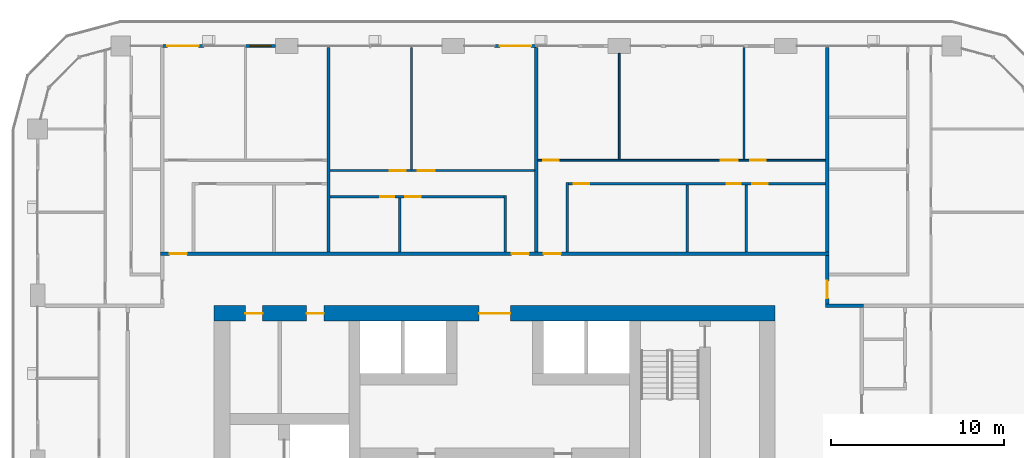
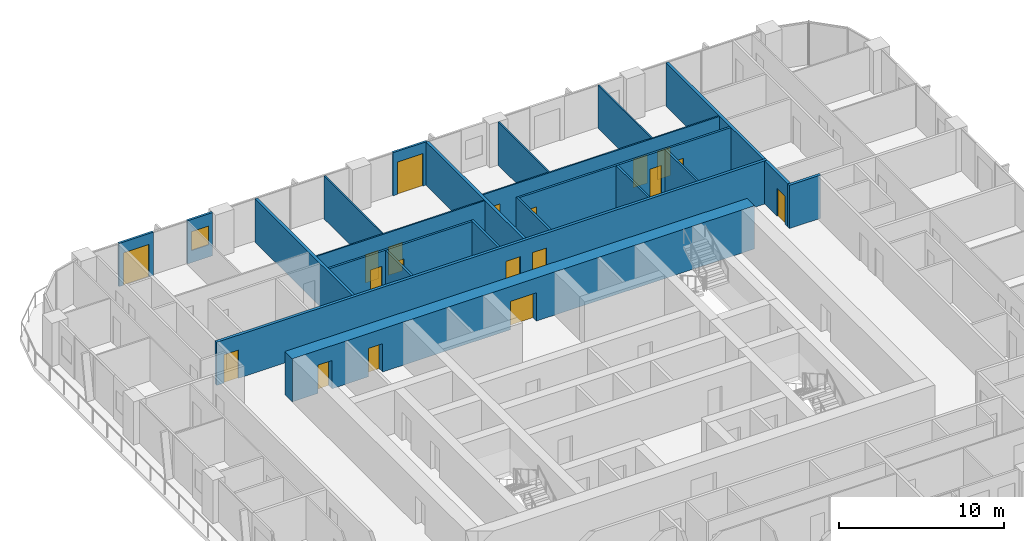
# One storey, part 14 of 21: 22 walls, 19 doors, 1 window, 20 openings.
"""IFC4 building model written with IfcOpenShell, lengths in metres."""

from ifc_helpers import new_model, si_unit, direction, frame, frame_2d, origin, place, context, subcontext, project, spatial, rectangle, extrude, material, layer, layer_set, type_object, element, fill, save


model = new_model("IFC4")

# Units and contexts
model_context = context("Model", 3, precision=1e-05, world=origin(), true_north=direction((0.0, 1.0)))
body_context = subcontext(model_context, "Body", "Model", "MODEL_VIEW")
ifc_project = project(units=[si_unit("LENGTHUNIT", "METRE"), si_unit("AREAUNIT", "SQUARE_METRE"), si_unit("VOLUMEUNIT", "CUBIC_METRE"), si_unit("PLANEANGLEUNIT", "RADIAN"), si_unit("MASSUNIT", "GRAM", prefix="KILO")], contexts=[model_context])

# Site, building, storey
site_placement = place(None, origin())
site = spatial("IfcSite", under=ifc_project, at=site_placement, CompositionType="ELEMENT")
building_placement = place(site_placement, origin())
building = spatial("IfcBuilding", under=site, at=building_placement, Name="Madar Terraces", CompositionType="ELEMENT")
storey_placement = place(building_placement, frame((0.0, 0.0, 106.699951171875)))
storey = spatial("IfcBuildingStorey", under=building, at=storey_placement, Name="L27", CompositionType="ELEMENT", Elevation=106.699951171875)

# Wall, openings, doors
ifc_material_1 = material(Name="Concrete C80/95", Category="concrete")
ifc_layer_1 = layer(ifc_material_1, 0.89990234375)
ifc_layer_set_1 = layer_set([ifc_layer_1], Name="Concrete C80/95 (CRW2 RC wall 900)")
wall_type_1 = type_object("IfcWallType", Name="CRW2 RC wall 900", PredefinedType="SHEAR", material=ifc_layer_set_1)
wall_1_placement = place(storey_placement, frame((15.0, 37.35009765625, 0.0), z_axis=(0.0, 0.0, 1.0), x_axis=(1.0, 0.0, 0.0)))
wall_1 = element("IfcWall", 1, at=wall_1_placement, inside=storey, type_object=wall_type_1, Name="CORE OUTER WALL", PredefinedType="SHEAR", context=body_context, shape_type="SweptSolid", body=[
    extrude(rectangle(XDim=32.39990234375, YDim=0.89990234375, at=frame_2d((16.199951171875, 0.0))), origin(), (0.0, 0.0, 1.0), 3.199951171875),
])
opening_1_placement = place(wall_1_placement, frame((15.300048828125, 0.0, 0.0)))
opening_1 = element("IfcOpeningElement", 2, at=opening_1_placement, cuts=wall_1, Name="Opening KD1", PredefinedType="OPENING", context=body_context, shape_type="SweptSolid", body=[
    extrude(rectangle(XDim=1.800048828125, YDim=2.10009765625, at=frame_2d((0.89990234375, 1.050048828125))), frame((0.0, 0.4599609375, 0.0), z_axis=(0.0, -1.0, 0.0), x_axis=(1.0, 0.0, 0.0)), (0.0, 0.0, 1.0), 0.919921875),
])
opening_2_placement = place(wall_1_placement, frame((1.793701171875, 0.0, 0.0)))
opening_2 = element("IfcOpeningElement", 3, at=opening_2_placement, cuts=wall_1, Name="Opening KD2", PredefinedType="OPENING", context=body_context, shape_type="SweptSolid", body=[
    extrude(rectangle(XDim=1.0, YDim=2.10009765625, at=frame_2d((0.5, 1.050048828125))), frame((0.0, 0.4599609375, 0.0), z_axis=(0.0, -1.0, 0.0), x_axis=(1.0, 0.0, 0.0)), (0.0, 0.0, 1.0), 0.919921875),
])
opening_3_placement = place(wall_1_placement, frame((5.331298828125, 0.0, 0.0)))
opening_3 = element("IfcOpeningElement", 4, at=opening_3_placement, cuts=wall_1, Name="Opening KD2", PredefinedType="OPENING", context=body_context, shape_type="SweptSolid", body=[
    extrude(rectangle(XDim=1.0, YDim=2.10009765625, at=frame_2d((0.5, 1.050048828125))), frame((0.0, 0.4599609375, 0.0), z_axis=(0.0, -1.0, 0.0), x_axis=(1.0, 0.0, 0.0)), (0.0, 0.0, 1.0), 0.919921875),
])
ifc_material_2 = material(Name="Steel door leaf", Category="steel")
door_type_1 = type_object("IfcDoorType", Name="Lobby door pair 1800 x 2100", OperationType="DOUBLE_DOOR_SINGLE_SWING", PredefinedType="DOOR", material=ifc_material_2)
door_1_placement = place(opening_1_placement, origin())
door_1 = element("IfcDoor", 5, at=door_1_placement, inside=storey, type_object=door_type_1, Name="LIFT LOBBY DOOR", OperationType="DOUBLE_DOOR_SINGLE_SWING", OverallHeight=2.10009765625, OverallWidth=1.800048828125, PredefinedType="DOOR", context=body_context, shape_type="SweptSolid", body=[
    extrude(rectangle(XDim=1.800048828125, YDim=2.10009765625, at=frame_2d((0.89990234375, 1.050048828125))), frame((0.0, 0.02490234375, 0.0), z_axis=(0.0, -1.0, 0.0), x_axis=(1.0, 0.0, 0.0)), (0.0, 0.0, 1.0), 0.050048828125),
])
fill(opening_1, door_1)
ifc_material_3 = material(Name="Steel door leaf", Category="steel")
door_type_2 = type_object("IfcDoorType", Name="Service room door 1000 x 2100", OperationType="NOTDEFINED", PredefinedType="DOOR", material=ifc_material_3)
door_2_placement = place(opening_2_placement, origin())
door_2 = element("IfcDoor", 6, at=door_2_placement, inside=storey, type_object=door_type_2, Name="SERVICE ROOM DOOR", OperationType="SINGLE_SWING_RIGHT", OverallHeight=2.10009765625, OverallWidth=1.0, PredefinedType="DOOR", context=body_context, shape_type="SweptSolid", body=[
    extrude(rectangle(XDim=1.0, YDim=2.10009765625, at=frame_2d((0.5, 1.050048828125))), frame((0.0, 0.02490234375, 0.0), z_axis=(0.0, -1.0, 0.0), x_axis=(1.0, 0.0, 0.0)), (0.0, 0.0, 1.0), 0.050048828125),
])
fill(opening_2, door_2)
door_3_placement = place(opening_3_placement, origin())
door_3 = element("IfcDoor", 7, at=door_3_placement, inside=storey, type_object=door_type_2, Name="SERVICE ROOM DOOR", OperationType="SINGLE_SWING_LEFT", OverallHeight=2.10009765625, OverallWidth=1.0, PredefinedType="DOOR", context=body_context, shape_type="SweptSolid", body=[
    extrude(rectangle(XDim=1.0, YDim=2.10009765625, at=frame_2d((0.5, 1.050048828125))), frame((0.0, 0.02490234375, 0.0), z_axis=(0.0, -1.0, 0.0), x_axis=(1.0, 0.0, 0.0)), (0.0, 0.0, 1.0), 0.050048828125),
])
fill(opening_3, door_3)

# Wall, opening, door
ifc_material_4 = material(Name="Aluminium composite panel, black, over insulated backing", Category="aluminium")
ifc_layer_2 = layer(ifc_material_4, 0.14990234375)
ifc_layer_set_2 = layer_set([ifc_layer_2], Name="Facade bay panel 150")
wall_type_2 = type_object("IfcWallType", Name="Facade bay panel 150", PredefinedType="SOLIDWALL", material=ifc_layer_set_2)
wall_2_placement = place(storey_placement, frame((33.60009765625, 52.800048828125, 0.0), z_axis=(0.0, 0.0, 1.0), x_axis=(-1.0, 0.0, 0.0)))
wall_2 = element("IfcWall", 8, at=wall_2_placement, inside=storey, type_object=wall_type_2, Name="Facade bay panel", PredefinedType="SOLIDWALL", context=body_context, shape_type="SweptSolid", body=[
    extrude(rectangle(XDim=2.400146484375, YDim=0.14990234375, at=frame_2d((1.2001953125, 0.0))), origin(), (0.0, 0.0, 1.0), 3.199951171875),
])
opening_4_placement = place(wall_2_placement, frame((0.300048828125, 0.0, 0.0)))
opening_4 = element("IfcOpeningElement", 9, at=opening_4_placement, cuts=wall_2, Name="Opening ED1", PredefinedType="OPENING", context=body_context, shape_type="SweptSolid", body=[
    extrude(rectangle(XDim=1.800048828125, YDim=2.39990234375, at=frame_2d((0.89990234375, 1.199951171875))), frame((0.0, 0.0849609375, 0.0), z_axis=(0.0, -1.0, 0.0), x_axis=(1.0, 0.0, 0.0)), (0.0, 0.0, 1.0), 0.169921875),
])
ifc_material_5 = material(Name="Glass, clear, with black aluminium frame", Category="aluminium")
door_type_3 = type_object("IfcDoorType", Name="Balcony and terrace sliding door 1800 x 2400", OperationType="SLIDING_TO_LEFT", PredefinedType="DOOR", material=ifc_material_5)
door_4_placement = place(opening_4_placement, origin())
door_4 = element("IfcDoor", 10, at=door_4_placement, inside=storey, type_object=door_type_3, Name="Balcony door", OperationType="SLIDING_TO_LEFT", OverallHeight=2.39990234375, OverallWidth=1.800048828125, PredefinedType="DOOR", context=body_context, shape_type="SweptSolid", body=[
    extrude(rectangle(XDim=1.800048828125, YDim=2.39990234375, at=frame_2d((0.89990234375, 1.199951171875))), frame((0.0, 0.02490234375, 0.0), z_axis=(0.0, -1.0, 0.0), x_axis=(1.0, 0.0, 0.0)), (0.0, 0.0, 1.0), 0.050048828125),
])
fill(opening_4, door_4)

# Wall, opening, window
wall_3_placement = place(storey_placement, frame((18.550048828125, 52.800048828125, 0.0), z_axis=(0.0, 0.0, 1.0), x_axis=(-1.0, 0.0, 0.0)))
wall_3 = element("IfcWall", 11, at=wall_3_placement, inside=storey, type_object=wall_type_2, Name="Facade bay panel", PredefinedType="SOLIDWALL", context=body_context, shape_type="SweptSolid", body=[
    extrude(rectangle(XDim=1.75, YDim=0.14990234375, at=frame_2d((0.875, 0.0))), origin(), (0.0, 0.0, 1.0), 3.199951171875),
])
opening_5_placement = place(wall_3_placement, frame((0.27490234375, 0.0, 0.89990234375)))
opening_5 = element("IfcOpeningElement", 12, at=opening_5_placement, cuts=wall_3, Name="Opening W1", PredefinedType="OPENING", context=body_context, shape_type="SweptSolid", body=[
    extrude(rectangle(XDim=1.199951171875, YDim=1.39990234375, at=frame_2d((0.60009765625, 0.699951171875))), frame((0.0, 0.0849609375, 0.0), z_axis=(0.0, -1.0, 0.0), x_axis=(1.0, 0.0, 0.0)), (0.0, 0.0, 1.0), 0.169921875),
])
ifc_material_6 = material(Name="Glass, clear, with black aluminium frame", Category="aluminium")
window_type = type_object("IfcWindowType", Name="Vent window 1200 x 1400", PartitioningType="SINGLE_PANEL", PredefinedType="WINDOW", material=ifc_material_6)
window_placement = place(opening_5_placement, origin())
window = element("IfcWindow", 13, at=window_placement, inside=storey, type_object=window_type, Name="Operable vent window", OverallHeight=1.39990234375, OverallWidth=1.199951171875, PartitioningType="SINGLE_PANEL", PredefinedType="WINDOW", context=body_context, shape_type="SweptSolid", body=[
    extrude(rectangle(XDim=1.199951171875, YDim=1.39990234375, at=frame_2d((0.60009765625, 0.699951171875))), frame((0.0, 0.030029296875, 0.0), z_axis=(0.0, -1.0, 0.0), x_axis=(1.0, 0.0, 0.0)), (0.0, 0.0, 1.0), 0.06005859375),
])
fill(opening_5, window)

# Wall, opening, door
wall_4_placement = place(storey_placement, frame((14.39990234375, 52.800048828125, 0.0), z_axis=(0.0, 0.0, 1.0), x_axis=(-1.0, 0.0, 0.0)))
wall_4 = element("IfcWall", 14, at=wall_4_placement, inside=storey, type_object=wall_type_2, Name="Facade bay panel", PredefinedType="SOLIDWALL", context=body_context, shape_type="SweptSolid", body=[
    extrude(rectangle(XDim=2.39990234375, YDim=0.14990234375, at=frame_2d((1.199951171875, 0.0))), origin(), (0.0, 0.0, 1.0), 3.199951171875),
])
opening_6_placement = place(wall_4_placement, frame((0.300048828125, 0.0, 0.0)))
opening_6 = element("IfcOpeningElement", 15, at=opening_6_placement, cuts=wall_4, Name="Opening ED1", PredefinedType="OPENING", context=body_context, shape_type="SweptSolid", body=[
    extrude(rectangle(XDim=1.800048828125, YDim=2.39990234375, at=frame_2d((0.89990234375, 1.199951171875))), frame((0.0, 0.0849609375, 0.0), z_axis=(0.0, -1.0, 0.0), x_axis=(1.0, 0.0, 0.0)), (0.0, 0.0, 1.0), 0.169921875),
])
door_5_placement = place(opening_6_placement, origin())
door_5 = element("IfcDoor", 16, at=door_5_placement, inside=storey, type_object=door_type_3, Name="Balcony door", OperationType="SLIDING_TO_RIGHT", OverallHeight=2.39990234375, OverallWidth=1.800048828125, PredefinedType="DOOR", context=body_context, shape_type="SweptSolid", body=[
    extrude(rectangle(XDim=1.800048828125, YDim=2.39990234375, at=frame_2d((0.89990234375, 1.199951171875))), frame((0.0, 0.02490234375, 0.0), z_axis=(0.0, -1.0, 0.0), x_axis=(1.0, 0.0, 0.0)), (0.0, 0.0, 1.0), 0.050048828125),
])
fill(opening_6, door_5)

# Walls
ifc_material_7 = material(Name="Gypsum board on steel studs", Category="steel")
ifc_layer_3 = layer(ifc_material_7, 0.10009765625)
ifc_layer_set_3 = layer_set([ifc_layer_3], Name="Flat partition 100")
wall_type_3 = type_object("IfcWallType", Name="Flat partition 100", PredefinedType="PARTITIONING", material=ifc_layer_set_3)
wall_5_placement = place(storey_placement, frame((38.39990234375, 46.25, 0.0), z_axis=(0.0, 0.0, 1.0), x_axis=(0.0, 1.0, 0.0)))
element("IfcWall", 17, at=wall_5_placement, inside=storey, type_object=wall_type_3, Name="Flat partition 100", PredefinedType="PARTITIONING", context=body_context, shape_type="SweptSolid", body=[
    extrude(rectangle(XDim=6.125, YDim=0.10009765625, at=frame_2d((3.0625, 0.0))), origin(), (0.0, 0.0, 1.0), 3.199951171875),
])
wall_6_placement = place(storey_placement, frame((45.60009765625, 46.25, 0.0), z_axis=(0.0, 0.0, 1.0), x_axis=(0.0, 1.0, 0.0)))
element("IfcWall", 18, at=wall_6_placement, inside=storey, type_object=wall_type_3, Name="Flat partition 100", PredefinedType="PARTITIONING", context=body_context, shape_type="SweptSolid", body=[
    extrude(rectangle(XDim=6.449951171875, YDim=0.10009765625, at=frame_2d((3.22509765625, 0.0))), origin(), (0.0, 0.0, 1.0), 3.199951171875),
])

# Wall, openings, doors
wall_7_placement = place(storey_placement, frame((33.699951171875, 46.199951171875, 0.0), z_axis=(0.0, 0.0, 1.0), x_axis=(1.0, 0.0, 0.0)))
wall_7 = element("IfcWall", 19, at=wall_7_placement, inside=storey, type_object=wall_type_3, Name="Flat partition 100", PredefinedType="PARTITIONING", context=body_context, shape_type="SweptSolid", body=[
    extrude(rectangle(XDim=16.60009765625, YDim=0.10009765625, at=frame_2d((8.300048828125, 0.0))), origin(), (0.0, 0.0, 1.0), 3.199951171875),
])
opening_7_placement = place(wall_7_placement, frame((0.300048828125, 0.0, 0.0)))
opening_7 = element("IfcOpeningElement", 20, at=opening_7_placement, cuts=wall_7, Name="Opening D2", PredefinedType="OPENING", context=body_context, shape_type="SweptSolid", body=[
    extrude(rectangle(XDim=0.89990234375, YDim=2.10009765625, at=frame_2d((0.449951171875, 1.050048828125))), frame((0.0, 0.06005859375, 0.0), z_axis=(0.0, -1.0, 0.0), x_axis=(1.0, 0.0, 0.0)), (0.0, 0.0, 1.0), 0.1201171875),
])
opening_8_placement = place(wall_7_placement, frame((10.550048828125, 0.0, 0.0)))
opening_8 = element("IfcOpeningElement", 21, at=opening_8_placement, cuts=wall_7, Name="Opening D3", PredefinedType="OPENING", context=body_context, shape_type="SweptSolid", body=[
    extrude(rectangle(XDim=1.0, YDim=2.10009765625, at=frame_2d((0.5, 1.050048828125))), frame((0.0, 0.06005859375, 0.0), z_axis=(0.0, -1.0, 0.0), x_axis=(1.0, 0.0, 0.0)), (0.0, 0.0, 1.0), 0.1201171875),
])
opening_9_placement = place(wall_7_placement, frame((12.25, 0.0, 0.0)))
opening_9 = element("IfcOpeningElement", 22, at=opening_9_placement, cuts=wall_7, Name="Opening D2", PredefinedType="OPENING", context=body_context, shape_type="SweptSolid", body=[
    extrude(rectangle(XDim=0.89990234375, YDim=2.10009765625, at=frame_2d((0.449951171875, 1.050048828125))), frame((0.0, 0.06005859375, 0.0), z_axis=(0.0, -1.0, 0.0), x_axis=(1.0, 0.0, 0.0)), (0.0, 0.0, 1.0), 0.1201171875),
])
ifc_material_8 = material(Name="Timber door leaf", Category="wood")
door_type_4 = type_object("IfcDoorType", Name="Flat living room door 1000", OperationType="NOTDEFINED", PredefinedType="DOOR", material=ifc_material_8)
door_6_placement = place(opening_8_placement, origin())
door_6 = element("IfcDoor", 23, at=door_6_placement, inside=storey, type_object=door_type_4, Name="Flat living room door 1000", OperationType="SINGLE_SWING_RIGHT", OverallHeight=2.10009765625, OverallWidth=1.0, PredefinedType="DOOR", context=body_context, shape_type="SweptSolid", body=[
    extrude(rectangle(XDim=1.0, YDim=2.10009765625, at=frame_2d((0.5, 1.050048828125))), frame((0.0, 0.02490234375, 0.0), z_axis=(0.0, -1.0, 0.0), x_axis=(1.0, 0.0, 0.0)), (0.0, 0.0, 1.0), 0.050048828125),
])
fill(opening_8, door_6)
ifc_material_9 = material(Name="Timber door leaf", Category="wood")
door_type_5 = type_object("IfcDoorType", Name="Flat room door 900", OperationType="NOTDEFINED", PredefinedType="DOOR", material=ifc_material_9)
door_7_placement = place(opening_7_placement, origin())
door_7 = element("IfcDoor", 24, at=door_7_placement, inside=storey, type_object=door_type_5, Name="Flat room door 900", OperationType="SINGLE_SWING_LEFT", OverallHeight=2.10009765625, OverallWidth=0.89990234375, PredefinedType="DOOR", context=body_context, shape_type="SweptSolid", body=[
    extrude(rectangle(XDim=0.89990234375, YDim=2.10009765625, at=frame_2d((0.449951171875, 1.050048828125))), frame((0.0, 0.02490234375, 0.0), z_axis=(0.0, -1.0, 0.0), x_axis=(1.0, 0.0, 0.0)), (0.0, 0.0, 1.0), 0.050048828125),
])
fill(opening_7, door_7)
door_8_placement = place(opening_9_placement, origin())
door_8 = element("IfcDoor", 25, at=door_8_placement, inside=storey, type_object=door_type_5, Name="Flat room door 900", OperationType="SINGLE_SWING_LEFT", OverallHeight=2.10009765625, OverallWidth=0.89990234375, PredefinedType="DOOR", context=body_context, shape_type="SweptSolid", body=[
    extrude(rectangle(XDim=0.89990234375, YDim=2.10009765625, at=frame_2d((0.449951171875, 1.050048828125))), frame((0.0, 0.02490234375, 0.0), z_axis=(0.0, -1.0, 0.0), x_axis=(1.0, 0.0, 0.0)), (0.0, 0.0, 1.0), 0.050048828125),
])
fill(opening_9, door_8)

# Wall
wall_8_placement = place(storey_placement, frame((26.39990234375, 45.64990234375, 0.0), z_axis=(0.0, 0.0, 1.0), x_axis=(0.0, 1.0, 0.0)))
element("IfcWall", 26, at=wall_8_placement, inside=storey, type_object=wall_type_3, Name="Flat partition 100", PredefinedType="PARTITIONING", context=body_context, shape_type="SweptSolid", body=[
    extrude(rectangle(XDim=7.050048828125, YDim=0.10009765625, at=frame_2d((3.52490234375, 0.0))), origin(), (0.0, 0.0, 1.0), 3.199951171875),
])

# Wall, openings, doors
wall_9_placement = place(storey_placement, frame((21.699951171875, 45.60009765625, 0.0), z_axis=(0.0, 0.0, 1.0), x_axis=(1.0, 0.0, 0.0)))
wall_9 = element("IfcWall", 27, at=wall_9_placement, inside=storey, type_object=wall_type_3, Name="Flat partition 100", PredefinedType="PARTITIONING", context=body_context, shape_type="SweptSolid", body=[
    extrude(rectangle(XDim=11.800048828125, YDim=0.10009765625, at=frame_2d((5.89990234375, 0.0))), origin(), (0.0, 0.0, 1.0), 3.199951171875),
])
opening_10_placement = place(wall_9_placement, frame((5.050048828125, 0.0, 0.0)))
opening_10 = element("IfcOpeningElement", 28, at=opening_10_placement, cuts=wall_9, Name="Opening D3", PredefinedType="OPENING", context=body_context, shape_type="SweptSolid", body=[
    extrude(rectangle(XDim=1.0, YDim=2.10009765625, at=frame_2d((0.5, 1.050048828125))), frame((0.0, 0.06005859375, 0.0), z_axis=(0.0, -1.0, 0.0), x_axis=(1.0, 0.0, 0.0)), (0.0, 0.0, 1.0), 0.1201171875),
])
opening_11_placement = place(wall_9_placement, frame((3.449951171875, 0.0, 0.0)))
opening_11 = element("IfcOpeningElement", 29, at=opening_11_placement, cuts=wall_9, Name="Opening D2", PredefinedType="OPENING", context=body_context, shape_type="SweptSolid", body=[
    extrude(rectangle(XDim=0.89990234375, YDim=2.10009765625, at=frame_2d((0.449951171875, 1.050048828125))), frame((0.0, 0.06005859375, 0.0), z_axis=(0.0, -1.0, 0.0), x_axis=(1.0, 0.0, 0.0)), (0.0, 0.0, 1.0), 0.1201171875),
])
door_9_placement = place(opening_10_placement, origin())
door_9 = element("IfcDoor", 30, at=door_9_placement, inside=storey, type_object=door_type_4, Name="Flat living room door 1000", OperationType="SINGLE_SWING_LEFT", OverallHeight=2.10009765625, OverallWidth=1.0, PredefinedType="DOOR", context=body_context, shape_type="SweptSolid", body=[
    extrude(rectangle(XDim=1.0, YDim=2.10009765625, at=frame_2d((0.5, 1.050048828125))), frame((0.0, 0.02490234375, 0.0), z_axis=(0.0, -1.0, 0.0), x_axis=(1.0, 0.0, 0.0)), (0.0, 0.0, 1.0), 0.050048828125),
])
fill(opening_10, door_9)
door_10_placement = place(opening_11_placement, origin())
door_10 = element("IfcDoor", 31, at=door_10_placement, inside=storey, type_object=door_type_5, Name="Flat room door 900", OperationType="SINGLE_SWING_RIGHT", OverallHeight=2.10009765625, OverallWidth=0.89990234375, PredefinedType="DOOR", context=body_context, shape_type="SweptSolid", body=[
    extrude(rectangle(XDim=0.89990234375, YDim=2.10009765625, at=frame_2d((0.449951171875, 1.050048828125))), frame((0.0, 0.02490234375, 0.0), z_axis=(0.0, -1.0, 0.0), x_axis=(1.0, 0.0, 0.0)), (0.0, 0.0, 1.0), 0.050048828125),
])
fill(opening_11, door_10)

# Wall
ifc_material_10 = material(Name="Lightweight blockwork", Category="masonry")
ifc_layer_4 = layer(ifc_material_10, 0.199951171875)
ifc_layer_set_4 = layer_set([ifc_layer_4], Name="Flat party and entrance wall 200")
wall_type_4 = type_object("IfcWallType", Name="Flat party and entrance wall 200", PredefinedType="PARTITIONING", material=ifc_layer_set_4)
wall_10_placement = place(storey_placement, frame((52.5, 37.800048828125, 0.0), z_axis=(0.0, 0.0, 1.0), x_axis=(-1.0, 0.0, 0.0)))
element("IfcWall", 32, at=wall_10_placement, inside=storey, type_object=wall_type_4, Name="Flat party and entrance wall 200", PredefinedType="PARTITIONING", context=body_context, shape_type="SweptSolid", body=[
    extrude(rectangle(XDim=2.199951171875, YDim=0.199951171875, at=frame_2d((1.10009765625, 0.0))), origin(), (0.0, 0.0, 1.0), 3.199951171875),
])

# Wall, opening, door
wall_11_placement = place(storey_placement, frame((50.39990234375, 40.699951171875, 0.0), z_axis=(0.0, 0.0, 1.0), x_axis=(0.0, -1.0, 0.0)))
wall_11 = element("IfcWall", 33, at=wall_11_placement, inside=storey, type_object=wall_type_4, Name="Flat party and entrance wall 200", PredefinedType="PARTITIONING", context=body_context, shape_type="SweptSolid", body=[
    extrude(rectangle(XDim=2.800048828125, YDim=0.199951171875, at=frame_2d((1.39990234375, 0.0))), origin(), (0.0, 0.0, 1.0), 3.199951171875),
])
opening_12_placement = place(wall_11_placement, frame((1.47509765625, 0.0, 0.0)))
opening_12 = element("IfcOpeningElement", 34, at=opening_12_placement, cuts=wall_11, Name="Opening D1", PredefinedType="OPENING", context=body_context, shape_type="SweptSolid", body=[
    extrude(rectangle(XDim=1.0, YDim=2.10009765625, at=frame_2d((0.5, 1.050048828125))), frame((0.0, 0.10986328125, 0.0), z_axis=(0.0, -1.0, 0.0), x_axis=(1.0, 0.0, 0.0)), (0.0, 0.0, 1.0), 0.219970703125),
])
ifc_material_11 = material(Name="Timber fire door leaf", Category="wood")
door_type_6 = type_object("IfcDoorType", Name="Flat entrance door 1000 FD30S", OperationType="NOTDEFINED", PredefinedType="DOOR", material=ifc_material_11)
door_11_placement = place(opening_12_placement, origin())
door_11 = element("IfcDoor", 35, at=door_11_placement, inside=storey, type_object=door_type_6, Name="Flat entrance door 1000 FD30S", OperationType="SINGLE_SWING_RIGHT", OverallHeight=2.10009765625, OverallWidth=1.0, PredefinedType="DOOR", context=body_context, shape_type="SweptSolid", body=[
    extrude(rectangle(XDim=1.0, YDim=2.10009765625, at=frame_2d((0.5, 1.050048828125))), frame((0.0, 0.02490234375, 0.0), z_axis=(0.0, -1.0, 0.0), x_axis=(1.0, 0.0, 0.0)), (0.0, 0.0, 1.0), 0.050048828125),
])
fill(opening_12, door_11)

# Wall, openings, doors
wall_12_placement = place(storey_placement, frame((11.89990234375, 40.800048828125, 0.0), z_axis=(0.0, 0.0, 1.0), x_axis=(1.0, 0.0, 0.0)))
wall_12 = element("IfcWall", 36, at=wall_12_placement, inside=storey, type_object=wall_type_4, Name="Flat party and entrance wall 200", PredefinedType="PARTITIONING", context=body_context, shape_type="SweptSolid", body=[
    extrude(rectangle(XDim=38.60009765625, YDim=0.199951171875, at=frame_2d((19.300048828125, 0.0))), origin(), (0.0, 0.0, 1.0), 3.199951171875),
])
opening_13_placement = place(wall_12_placement, frame((22.125, 0.0, 0.0)))
opening_13 = element("IfcOpeningElement", 37, at=opening_13_placement, cuts=wall_12, Name="Opening D1", PredefinedType="OPENING", context=body_context, shape_type="SweptSolid", body=[
    extrude(rectangle(XDim=1.0, YDim=2.10009765625, at=frame_2d((0.5, 1.050048828125))), frame((0.0, 0.10986328125, 0.0), z_axis=(0.0, -1.0, 0.0), x_axis=(1.0, 0.0, 0.0)), (0.0, 0.0, 1.0), 0.219970703125),
])
opening_14_placement = place(wall_12_placement, frame((20.27490234375, 0.0, 0.0)))
opening_14 = element("IfcOpeningElement", 38, at=opening_14_placement, cuts=wall_12, Name="Opening D1", PredefinedType="OPENING", context=body_context, shape_type="SweptSolid", body=[
    extrude(rectangle(XDim=1.0, YDim=2.10009765625, at=frame_2d((0.5, 1.050048828125))), frame((0.0, 0.10986328125, 0.0), z_axis=(0.0, -1.0, 0.0), x_axis=(1.0, 0.0, 0.0)), (0.0, 0.0, 1.0), 0.219970703125),
])
opening_15_placement = place(wall_12_placement, frame((0.52490234375, 0.0, 0.0)))
opening_15 = element("IfcOpeningElement", 39, at=opening_15_placement, cuts=wall_12, Name="Opening D1", PredefinedType="OPENING", context=body_context, shape_type="SweptSolid", body=[
    extrude(rectangle(XDim=1.0, YDim=2.10009765625, at=frame_2d((0.5, 1.050048828125))), frame((0.0, 0.10986328125, 0.0), z_axis=(0.0, -1.0, 0.0), x_axis=(1.0, 0.0, 0.0)), (0.0, 0.0, 1.0), 0.219970703125),
])
door_12_placement = place(opening_13_placement, origin())
door_12 = element("IfcDoor", 40, at=door_12_placement, inside=storey, type_object=door_type_6, Name="Flat entrance door 1000 FD30S", OperationType="SINGLE_SWING_LEFT", OverallHeight=2.10009765625, OverallWidth=1.0, PredefinedType="DOOR", context=body_context, shape_type="SweptSolid", body=[
    extrude(rectangle(XDim=1.0, YDim=2.10009765625, at=frame_2d((0.5, 1.050048828125))), frame((0.0, 0.02490234375, 0.0), z_axis=(0.0, -1.0, 0.0), x_axis=(1.0, 0.0, 0.0)), (0.0, 0.0, 1.0), 0.050048828125),
])
fill(opening_13, door_12)
door_13_placement = place(opening_14_placement, origin())
door_13 = element("IfcDoor", 41, at=door_13_placement, inside=storey, type_object=door_type_6, Name="Flat entrance door 1000 FD30S", OperationType="SINGLE_SWING_RIGHT", OverallHeight=2.10009765625, OverallWidth=1.0, PredefinedType="DOOR", context=body_context, shape_type="SweptSolid", body=[
    extrude(rectangle(XDim=1.0, YDim=2.10009765625, at=frame_2d((0.5, 1.050048828125))), frame((0.0, 0.02490234375, 0.0), z_axis=(0.0, -1.0, 0.0), x_axis=(1.0, 0.0, 0.0)), (0.0, 0.0, 1.0), 0.050048828125),
])
fill(opening_14, door_13)
door_14_placement = place(opening_15_placement, origin())
door_14 = element("IfcDoor", 42, at=door_14_placement, inside=storey, type_object=door_type_6, Name="Flat entrance door 1000 FD30S", OperationType="SINGLE_SWING_LEFT", OverallHeight=2.10009765625, OverallWidth=1.0, PredefinedType="DOOR", context=body_context, shape_type="SweptSolid", body=[
    extrude(rectangle(XDim=1.0, YDim=2.10009765625, at=frame_2d((0.5, 1.050048828125))), frame((0.0, 0.02490234375, 0.0), z_axis=(0.0, -1.0, 0.0), x_axis=(1.0, 0.0, 0.0)), (0.0, 0.0, 1.0), 0.050048828125),
])
fill(opening_15, door_14)

# Walls
for number, where, z_axis, x_axis, name in (
    (43, (50.39990234375, 40.89990234375, 0.0), (0.0, 0.0, 1.0), (0.0, 1.0, 0.0), "Flat party and entrance wall 200"),
    (44, (33.60009765625, 52.699951171875, 0.0), (0.0, 0.0, 1.0), (0.0, -1.0, 0.0), "Flat party and entrance wall 200"),
    (45, (21.60009765625, 52.699951171875, 0.0), (0.0, 0.0, 1.0), (0.0, -1.0, 0.0), "Flat party and entrance wall 200"),
):
    element("IfcWall", number, at=place(storey_placement, frame(where, z_axis=z_axis, x_axis=x_axis)), inside=storey, type_object=wall_type_4, Name=name, PredefinedType="PARTITIONING", context=body_context, shape_type="SweptSolid", body=[
        extrude(rectangle(XDim=11.800048828125, YDim=0.199951171875, at=frame_2d((5.89990234375, 0.0))), origin(), (0.0, 0.0, 1.0), 3.199951171875),
    ])
ifc_material_12 = material(Name="Lightweight blockwork", Category="masonry")
ifc_layer_5 = layer(ifc_material_12, 0.14990234375)
ifc_layer_set_5 = layer_set([ifc_layer_5], Name="Flat wet-room partition 150")
wall_type_5 = type_object("IfcWallType", Name="Flat wet-room partition 150", PredefinedType="PARTITIONING", material=ifc_layer_set_5)
for number, where, z_axis, x_axis, name in (
    (46, (42.3173828125, 40.89990234375, 0.0), (0.0, 0.0, 1.0), (0.0, 1.0, 0.0), "Flat wet-room partition 150"),
    (47, (45.738525390625, 40.89990234375, 0.0), (0.0, 0.0, 1.0), (0.0, 1.0, 0.0), "Flat wet-room partition 150"),
):
    element("IfcWall", number, at=place(storey_placement, frame(where, z_axis=z_axis, x_axis=x_axis)), inside=storey, type_object=wall_type_5, Name=name, PredefinedType="PARTITIONING", context=body_context, shape_type="SweptSolid", body=[
        extrude(rectangle(XDim=3.875, YDim=0.14990234375, at=frame_2d((1.9375, 0.0))), origin(), (0.0, 0.0, 1.0), 3.199951171875),
    ])
wall_13_placement = place(storey_placement, frame((35.39990234375, 40.89990234375, 0.0), z_axis=(0.0, 0.0, 1.0), x_axis=(0.0, 1.0, 0.0)))
element("IfcWall", 48, at=wall_13_placement, inside=storey, type_object=wall_type_5, Name="Flat wet-room partition 150", PredefinedType="PARTITIONING", context=body_context, shape_type="SweptSolid", body=[
    extrude(rectangle(XDim=4.025146484375, YDim=0.14990234375, at=frame_2d((2.0126953125, 0.0))), origin(), (0.0, 0.0, 1.0), 3.199951171875),
])

# Wall, openings, doors
wall_14_placement = place(storey_placement, frame((50.300048828125, 44.85009765625, 0.0), z_axis=(0.0, 0.0, 1.0), x_axis=(-1.0, 0.0, 0.0)))
wall_14 = element("IfcWall", 49, at=wall_14_placement, inside=storey, type_object=wall_type_5, Name="Flat wet-room partition 150", PredefinedType="PARTITIONING", context=body_context, shape_type="SweptSolid", body=[
    extrude(rectangle(XDim=14.824951171875, YDim=0.14990234375, at=frame_2d((7.41259765625, 0.0))), origin(), (0.0, 0.0, 1.0), 3.199951171875),
])
opening_16_placement = place(wall_14_placement, frame((13.625, 0.0, 0.0)))
opening_16 = element("IfcOpeningElement", 50, at=opening_16_placement, cuts=wall_14, Name="Opening D2", PredefinedType="OPENING", context=body_context, shape_type="SweptSolid", body=[
    extrude(rectangle(XDim=0.89990234375, YDim=2.10009765625, at=frame_2d((0.449951171875, 1.050048828125))), frame((0.0, 0.0849609375, 0.0), z_axis=(0.0, -1.0, 0.0), x_axis=(1.0, 0.0, 0.0)), (0.0, 0.0, 1.0), 0.169921875),
])
opening_17_placement = place(wall_14_placement, frame((4.886474609375, 0.0, 0.0)))
opening_17 = element("IfcOpeningElement", 51, at=opening_17_placement, cuts=wall_14, Name="Opening D4", PredefinedType="OPENING", context=body_context, shape_type="SweptSolid", body=[
    extrude(rectangle(XDim=0.800048828125, YDim=2.10009765625, at=frame_2d((0.39990234375, 1.050048828125))), frame((0.0, 0.0849609375, 0.0), z_axis=(0.0, -1.0, 0.0), x_axis=(1.0, 0.0, 0.0)), (0.0, 0.0, 1.0), 0.169921875),
])
opening_18_placement = place(wall_14_placement, frame((3.33642578125, 0.0, 0.0)))
opening_18 = element("IfcOpeningElement", 52, at=opening_18_placement, cuts=wall_14, Name="Opening D5", PredefinedType="OPENING", context=body_context, shape_type="SweptSolid", body=[
    extrude(rectangle(XDim=0.89990234375, YDim=2.10009765625, at=frame_2d((0.449951171875, 1.050048828125))), frame((0.0, 0.0849609375, 0.0), z_axis=(0.0, -1.0, 0.0), x_axis=(1.0, 0.0, 0.0)), (0.0, 0.0, 1.0), 0.169921875),
])
ifc_material_13 = material(Name="Timber door leaf", Category="wood")
door_type_7 = type_object("IfcDoorType", Name="Flat accessible bathroom door 900", OperationType="NOTDEFINED", PredefinedType="DOOR", material=ifc_material_13)
door_15_placement = place(opening_18_placement, origin())
door_15 = element("IfcDoor", 53, at=door_15_placement, inside=storey, type_object=door_type_7, Name="Flat accessible bathroom door 900", OperationType="SINGLE_SWING_RIGHT", OverallHeight=2.10009765625, OverallWidth=0.89990234375, PredefinedType="DOOR", context=body_context, shape_type="SweptSolid", body=[
    extrude(rectangle(XDim=0.89990234375, YDim=2.10009765625, at=frame_2d((0.449951171875, 1.050048828125))), frame((0.0, 0.02490234375, 0.0), z_axis=(0.0, -1.0, 0.0), x_axis=(1.0, 0.0, 0.0)), (0.0, 0.0, 1.0), 0.050048828125),
])
fill(opening_18, door_15)
ifc_material_14 = material(Name="Timber door leaf", Category="wood")
door_type_8 = type_object("IfcDoorType", Name="Flat bathroom door 800", OperationType="NOTDEFINED", PredefinedType="DOOR", material=ifc_material_14)
door_16_placement = place(opening_17_placement, origin())
door_16 = element("IfcDoor", 54, at=door_16_placement, inside=storey, type_object=door_type_8, Name="Flat bathroom door 800", OperationType="SINGLE_SWING_LEFT", OverallHeight=2.10009765625, OverallWidth=0.800048828125, PredefinedType="DOOR", context=body_context, shape_type="SweptSolid", body=[
    extrude(rectangle(XDim=0.800048828125, YDim=2.10009765625, at=frame_2d((0.39990234375, 1.050048828125))), frame((0.0, 0.02490234375, 0.0), z_axis=(0.0, -1.0, 0.0), x_axis=(1.0, 0.0, 0.0)), (0.0, 0.0, 1.0), 0.050048828125),
])
fill(opening_17, door_16)
door_17_placement = place(opening_16_placement, origin())
door_17 = element("IfcDoor", 55, at=door_17_placement, inside=storey, type_object=door_type_5, Name="Flat room door 900", OperationType="SINGLE_SWING_RIGHT", OverallHeight=2.10009765625, OverallWidth=0.89990234375, PredefinedType="DOOR", context=body_context, shape_type="SweptSolid", body=[
    extrude(rectangle(XDim=0.89990234375, YDim=2.10009765625, at=frame_2d((0.449951171875, 1.050048828125))), frame((0.0, 0.02490234375, 0.0), z_axis=(0.0, -1.0, 0.0), x_axis=(1.0, 0.0, 0.0)), (0.0, 0.0, 1.0), 0.050048828125),
])
fill(opening_16, door_17)

# Walls
wall_15_placement = place(storey_placement, frame((25.7099609375, 40.89990234375, 0.0), z_axis=(0.0, 0.0, 1.0), x_axis=(0.0, 1.0, 0.0)))
element("IfcWall", 56, at=wall_15_placement, inside=storey, type_object=wall_type_5, Name="Flat wet-room partition 150", PredefinedType="PARTITIONING", context=body_context, shape_type="SweptSolid", body=[
    extrude(rectangle(XDim=3.125, YDim=0.14990234375, at=frame_2d((1.5625, 0.0))), origin(), (0.0, 0.0, 1.0), 3.199951171875),
])
wall_16_placement = place(storey_placement, frame((31.800048828125, 40.89990234375, 0.0), z_axis=(0.0, 0.0, 1.0), x_axis=(0.0, 1.0, 0.0)))
element("IfcWall", 57, at=wall_16_placement, inside=storey, type_object=wall_type_5, Name="Flat wet-room partition 150", PredefinedType="PARTITIONING", context=body_context, shape_type="SweptSolid", body=[
    extrude(rectangle(XDim=3.275146484375, YDim=0.14990234375, at=frame_2d((1.6376953125, 0.0))), origin(), (0.0, 0.0, 1.0), 3.199951171875),
])

# Wall, openings, doors
wall_17_placement = place(storey_placement, frame((31.72509765625, 44.10009765625, 0.0), z_axis=(0.0, 0.0, 1.0), x_axis=(-1.0, 0.0, 0.0)))
wall_17 = element("IfcWall", 58, at=wall_17_placement, inside=storey, type_object=wall_type_5, Name="Flat wet-room partition 150", PredefinedType="PARTITIONING", context=body_context, shape_type="SweptSolid", body=[
    extrude(rectangle(XDim=10.025146484375, YDim=0.14990234375, at=frame_2d((5.0126953125, 0.0))), origin(), (0.0, 0.0, 1.0), 3.199951171875),
])
opening_19_placement = place(wall_17_placement, frame((4.7900390625, 0.0, 0.0)))
opening_19 = element("IfcOpeningElement", 59, at=opening_19_placement, cuts=wall_17, Name="Opening D2", PredefinedType="OPENING", context=body_context, shape_type="SweptSolid", body=[
    extrude(rectangle(XDim=0.89990234375, YDim=2.10009765625, at=frame_2d((0.449951171875, 1.050048828125))), frame((0.0, 0.0849609375, 0.0), z_axis=(0.0, -1.0, 0.0), x_axis=(1.0, 0.0, 0.0)), (0.0, 0.0, 1.0), 0.169921875),
])
opening_20_placement = place(wall_17_placement, frame((6.340087890625, 0.0, 0.0)))
opening_20 = element("IfcOpeningElement", 60, at=opening_20_placement, cuts=wall_17, Name="Opening D4", PredefinedType="OPENING", context=body_context, shape_type="SweptSolid", body=[
    extrude(rectangle(XDim=0.800048828125, YDim=2.10009765625, at=frame_2d((0.39990234375, 1.050048828125))), frame((0.0, 0.0849609375, 0.0), z_axis=(0.0, -1.0, 0.0), x_axis=(1.0, 0.0, 0.0)), (0.0, 0.0, 1.0), 0.169921875),
])
door_18_placement = place(opening_20_placement, origin())
door_18 = element("IfcDoor", 61, at=door_18_placement, inside=storey, type_object=door_type_8, Name="Flat bathroom door 800", OperationType="SINGLE_SWING_LEFT", OverallHeight=2.10009765625, OverallWidth=0.800048828125, PredefinedType="DOOR", context=body_context, shape_type="SweptSolid", body=[
    extrude(rectangle(XDim=0.800048828125, YDim=2.10009765625, at=frame_2d((0.39990234375, 1.050048828125))), frame((0.0, 0.02490234375, 0.0), z_axis=(0.0, -1.0, 0.0), x_axis=(1.0, 0.0, 0.0)), (0.0, 0.0, 1.0), 0.050048828125),
])
fill(opening_20, door_18)
door_19_placement = place(opening_19_placement, origin())
door_19 = element("IfcDoor", 62, at=door_19_placement, inside=storey, type_object=door_type_5, Name="Flat room door 900", OperationType="SINGLE_SWING_RIGHT", OverallHeight=2.10009765625, OverallWidth=0.89990234375, PredefinedType="DOOR", context=body_context, shape_type="SweptSolid", body=[
    extrude(rectangle(XDim=0.89990234375, YDim=2.10009765625, at=frame_2d((0.449951171875, 1.050048828125))), frame((0.0, 0.02490234375, 0.0), z_axis=(0.0, -1.0, 0.0), x_axis=(1.0, 0.0, 0.0)), (0.0, 0.0, 1.0), 0.050048828125),
])
fill(opening_19, door_19)

save(model, "model.ifc")
